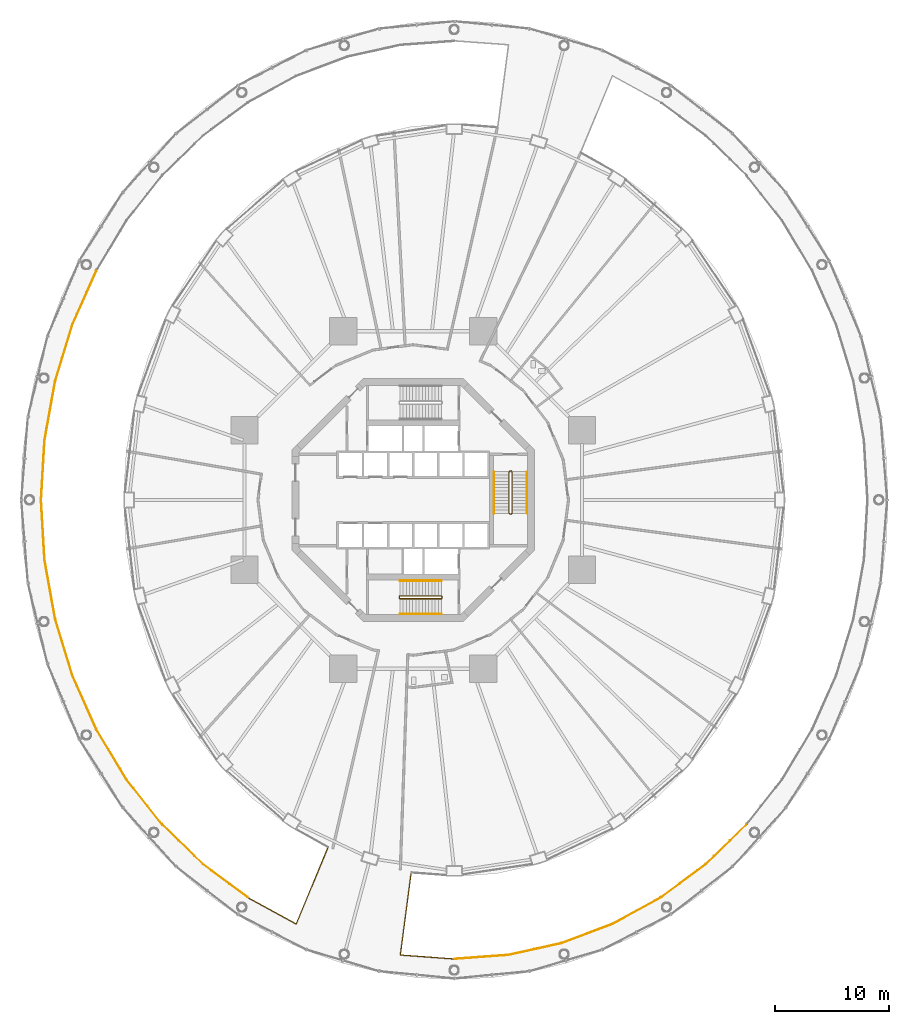
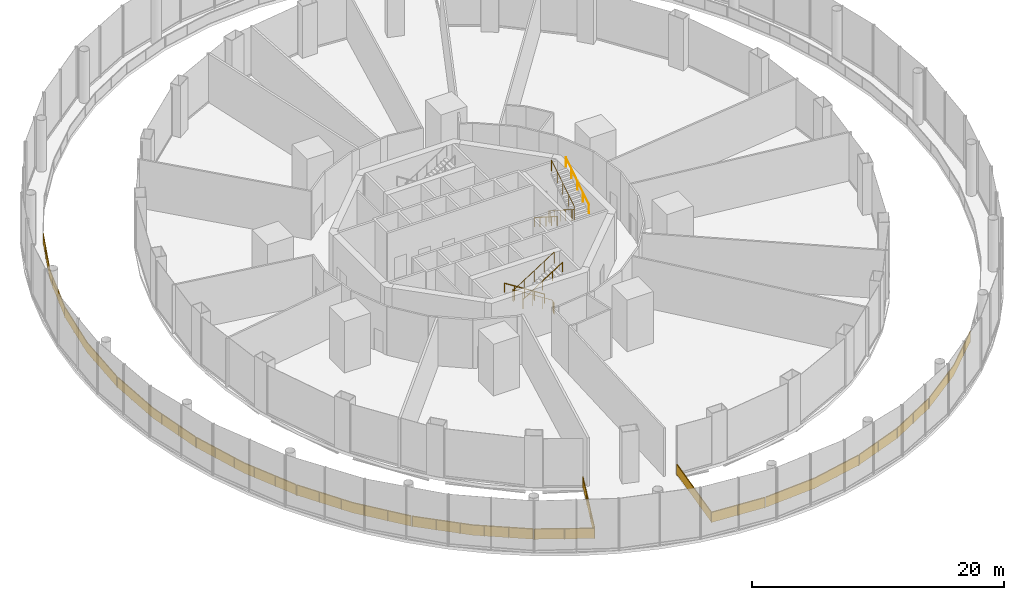
# One storey, part 45 of 47: 17 railings.
"""IFC4 building model written with IfcOpenShell, lengths in metres."""

from ifc_helpers import new_model, si_unit, direction, frame, origin, origin_2d, place, context, subcontext, project, spatial, polyline, rectangle, circle, outline, extrude, material, type_object, element, save


model = new_model("IFC4")

# Units and contexts
model_context = context("Model", 3, precision=1e-05, world=origin(), true_north=direction((0.0, 1.0)))
body_context = subcontext(model_context, "Body", "Model", "MODEL_VIEW")
ifc_project = project(units=[si_unit("LENGTHUNIT", "METRE"), si_unit("AREAUNIT", "SQUARE_METRE"), si_unit("VOLUMEUNIT", "CUBIC_METRE"), si_unit("PLANEANGLEUNIT", "RADIAN"), si_unit("MASSUNIT", "GRAM", prefix="KILO")], contexts=[model_context])

# Site, building, storey
site_placement = place(None, origin())
site = spatial("IfcSite", under=ifc_project, at=site_placement, CompositionType="ELEMENT")
building_placement = place(site_placement, origin())
building = spatial("IfcBuilding", under=site, at=building_placement, Name="Nagisa Residences", CompositionType="ELEMENT")
storey_placement = place(building_placement, frame((0.0, 0.0, 17.0)))
storey = spatial("IfcBuildingStorey", under=building, at=storey_placement, Name="L03", CompositionType="ELEMENT", Elevation=17.0)

# Railings
ifc_material_1 = material(Name="Stainless steel 316", Category="steel")
railing_type_1 = type_object("IfcRailingType", Name="ROOF GUARD 1100", PredefinedType="GUARDRAIL", material=ifc_material_1)
railing_1_placement = place(storey_placement, frame((-27.766357421875, 20.0634765625, 0.0)))
element("IfcRailing", 1, at=railing_1_placement, inside=storey, type_object=railing_type_1, Name="guard:L03:gal0-05", PredefinedType="GUARDRAIL", context=body_context, shape_type="SweptSolid", body=[
    extrude(outline(polyline([(-2.0546875, -4.6884765625), (0.02294921875, -0.01025390625), (-0.02294921875, 0.01025390625), (-2.1015625, -4.6708984375), (-3.6123046875, -9.61328125), (-3.564453125, -9.6279296875), (-2.0546875, -4.6884765625)])), frame((0.0, 0.0, 1.050048828125)), (0.0, 0.0, 1.0), 0.050048828125),
    extrude(outline(polyline([(-2.071533203125, -4.68212890625), (0.00634765625, -0.0029296875), (-0.00634765625, 0.0029296875), (-2.084716796875, -4.67724609375), (-3.594970703125, -9.61865234375), (-3.581787109375, -9.62255859375), (-2.071533203125, -4.68212890625)])), frame((0.0, 0.0, 0.06005859375)), (0.0, 0.0, 1.0), 0.989990234375),
    extrude(rectangle(XDim=0.0400390625, YDim=0.0400390625, at=origin_2d()), origin(), (0.0, 0.0, 1.0), 1.050048828125),
    extrude(rectangle(XDim=0.0400390625, YDim=0.0400390625, at=origin_2d()), frame((-0.8349609375, -1.88037109375, 0.0)), (0.0, 0.0, 1.0), 1.050048828125),
    extrude(rectangle(XDim=0.0400390625, YDim=0.0400390625, at=origin_2d()), frame((-1.669921875, -3.7607421875, 0.0)), (0.0, 0.0, 1.0), 1.050048828125),
    extrude(rectangle(XDim=0.0400390625, YDim=0.0400390625, at=origin_2d()), frame((-2.385498046875, -5.685546875, 0.0)), (0.0, 0.0, 1.0), 1.050048828125),
    extrude(rectangle(XDim=0.0400390625, YDim=0.0400390625, at=origin_2d()), frame((-2.987060546875, -7.653076171875, 0.0)), (0.0, 0.0, 1.0), 1.050048828125),
    extrude(rectangle(XDim=0.0400390625, YDim=0.0400390625, at=origin_2d()), frame((-3.58837890625, -9.62060546875, 0.0)), (0.0, 0.0, 1.0), 1.050048828125),
])
railing_2_placement = place(storey_placement, frame((-31.37353515625, 10.365234375, 0.0)))
element("IfcRailing", 2, at=railing_2_placement, inside=storey, type_object=railing_type_1, Name="guard:L03:gal0-06", PredefinedType="GUARDRAIL", context=body_context, shape_type="SweptSolid", body=[
    extrude(outline(polyline([(-0.891845703125, -5.12109375), (0.024658203125, -0.00439453125), (-0.024658203125, 0.00439453125), (-0.941650390625, -5.115234375), (-1.2490234375, -10.32373046875), (-1.19921875, -10.32666015625), (-0.891845703125, -5.12109375)])), frame((0.0, 0.0, 1.050048828125)), (0.0, 0.0, 1.0), 0.050048828125),
    extrude(outline(polyline([(-0.90966796875, -5.118896484375), (0.0068359375, -0.001220703125), (-0.0068359375, 0.001220703125), (-0.923828125, -5.117431640625), (-1.231201171875, -10.32470703125), (-1.217041015625, -10.32568359375), (-0.90966796875, -5.118896484375)])), frame((0.0, 0.0, 0.06005859375)), (0.0, 0.0, 1.0), 0.989990234375),
    extrude(rectangle(XDim=0.0400390625, YDim=0.0400390625, at=origin_2d()), origin(), (0.0, 0.0, 1.0), 1.050048828125),
    extrude(rectangle(XDim=0.0400390625, YDim=0.0400390625, at=origin_2d()), frame((-0.3671875, -2.050537109375, 0.0)), (0.0, 0.0, 1.0), 1.050048828125),
    extrude(rectangle(XDim=0.0400390625, YDim=0.0400390625, at=origin_2d()), frame((-0.734619140625, -4.10107421875, 0.0)), (0.0, 0.0, 1.0), 1.050048828125),
    extrude(rectangle(XDim=0.0400390625, YDim=0.0400390625, at=origin_2d()), frame((-0.978515625, -6.166259765625, 0.0)), (0.0, 0.0, 1.0), 1.050048828125),
    extrude(rectangle(XDim=0.0400390625, YDim=0.0400390625, at=origin_2d()), frame((-1.101318359375, -8.24560546875, 0.0)), (0.0, 0.0, 1.0), 1.050048828125),
    extrude(rectangle(XDim=0.0400390625, YDim=0.0400390625, at=origin_2d()), frame((-1.22412109375, -10.3251953125, 0.0)), (0.0, 0.0, 1.0), 1.050048828125),
])
railing_3_placement = place(storey_placement, frame((-32.59765625, -0.0400390625, 0.0)))
element("IfcRailing", 3, at=railing_3_placement, inside=storey, type_object=railing_type_1, Name="guard:L03:gal0-07", PredefinedType="GUARDRAIL", context=body_context, shape_type="SweptSolid", body=[
    extrude(outline(polyline([(0.332275390625, -5.2041015625), (0.02490234375, 0.00146484375), (-0.02490234375, -0.00146484375), (0.282470703125, -5.2099609375), (1.199462890625, -10.32958984375), (1.248779296875, -10.32080078125), (0.332275390625, -5.2041015625)])), frame((0.0, 0.0, 1.050048828125)), (0.0, 0.0, 1.0), 0.050048828125),
    extrude(outline(polyline([(0.314453125, -5.206298828125), (0.007080078125, 0.00048828125), (-0.007080078125, -0.00048828125), (0.30029296875, -5.207763671875), (1.21728515625, -10.326416015625), (1.23095703125, -10.323974609375), (0.314453125, -5.206298828125)])), frame((0.0, 0.0, 0.06005859375)), (0.0, 0.0, 1.0), 0.989990234375),
    extrude(rectangle(XDim=0.0400390625, YDim=0.0400390625, at=origin_2d()), origin(), (0.0, 0.0, 1.0), 1.050048828125),
    extrude(rectangle(XDim=0.0400390625, YDim=0.0400390625, at=origin_2d()), frame((0.122802734375, -2.07958984375, 0.0)), (0.0, 0.0, 1.0), 1.050048828125),
    extrude(rectangle(XDim=0.0400390625, YDim=0.0400390625, at=origin_2d()), frame((0.24560546875, -4.158935546875, 0.0)), (0.0, 0.0, 1.0), 1.050048828125),
    extrude(rectangle(XDim=0.0400390625, YDim=0.0400390625, at=origin_2d()), frame((0.489501953125, -6.22412109375, 0.0)), (0.0, 0.0, 1.0), 1.050048828125),
    extrude(rectangle(XDim=0.0400390625, YDim=0.0400390625, at=origin_2d()), frame((0.85693359375, -8.274658203125, 0.0)), (0.0, 0.0, 1.0), 1.050048828125),
    extrude(rectangle(XDim=0.0400390625, YDim=0.0400390625, at=origin_2d()), frame((1.22412109375, -10.3251953125, 0.0)), (0.0, 0.0, 1.0), 1.050048828125),
])
railing_4_placement = place(storey_placement, frame((-31.354736328125, -10.44287109375, 0.0)))
element("IfcRailing", 4, at=railing_4_placement, inside=storey, type_object=railing_type_1, Name="guard:L03:gal0-08", PredefinedType="GUARDRAIL", context=body_context, shape_type="SweptSolid", body=[
    extrude(outline(polyline([(1.53369140625, -4.93212890625), (0.02392578125, 0.00732421875), (-0.02392578125, -0.00732421875), (1.48681640625, -4.94970703125), (3.5654296875, -9.630859375), (3.611328125, -9.6103515625), (1.53369140625, -4.93212890625)])), frame((0.0, 0.0, 1.050048828125)), (0.0, 0.0, 1.0), 0.050048828125),
    extrude(outline(polyline([(1.516845703125, -4.9384765625), (0.006591796875, 0.001953125), (-0.006591796875, -0.001953125), (1.503662109375, -4.943359375), (3.58203125, -9.62353515625), (3.5947265625, -9.61767578125), (1.516845703125, -4.9384765625)])), frame((0.0, 0.0, 0.06005859375)), (0.0, 0.0, 1.0), 0.989990234375),
    extrude(rectangle(XDim=0.0400390625, YDim=0.0400390625, at=origin_2d()), origin(), (0.0, 0.0, 1.0), 1.050048828125),
    extrude(rectangle(XDim=0.0400390625, YDim=0.0400390625, at=origin_2d()), frame((0.601318359375, -1.967529296875, 0.0)), (0.0, 0.0, 1.0), 1.050048828125),
    extrude(rectangle(XDim=0.0400390625, YDim=0.0400390625, at=origin_2d()), frame((1.202880859375, -3.93505859375, 0.0)), (0.0, 0.0, 1.0), 1.050048828125),
    extrude(rectangle(XDim=0.0400390625, YDim=0.0400390625, at=origin_2d()), frame((1.91845703125, -5.85986328125, 0.0)), (0.0, 0.0, 1.0), 1.050048828125),
    extrude(rectangle(XDim=0.0400390625, YDim=0.0400390625, at=origin_2d()), frame((2.75341796875, -7.740234375, 0.0)), (0.0, 0.0, 1.0), 1.050048828125),
    extrude(rectangle(XDim=0.0400390625, YDim=0.0400390625, at=origin_2d()), frame((3.58837890625, -9.62060546875, 0.0)), (0.0, 0.0, 1.0), 1.050048828125),
])
railing_5_placement = place(storey_placement, frame((-27.7294921875, -20.13427734375, 0.0)))
element("IfcRailing", 5, at=railing_5_placement, inside=storey, type_object=railing_type_1, Name="guard:L03:gal0-09", PredefinedType="GUARDRAIL", context=body_context, shape_type="SweptSolid", body=[
    extrude(outline(polyline([(2.630615234375, -4.32373046875), (0.021484375, 0.012939453125), (-0.021484375, -0.012939453125), (2.589599609375, -4.35205078125), (5.68798828125, -8.275634765625), (5.72705078125, -8.244384765625), (2.630615234375, -4.32373046875)])), frame((0.0, 0.0, 1.050048828125)), (0.0, 0.0, 1.0), 0.050048828125),
    extrude(outline(polyline([(2.615966796875, -4.333984375), (0.006103515625, 0.003662109375), (-0.006103515625, -0.003662109375), (2.604248046875, -4.341796875), (5.701904296875, -8.264404296875), (5.713134765625, -8.255615234375), (2.615966796875, -4.333984375)])), frame((0.0, 0.0, 0.06005859375)), (0.0, 0.0, 1.0), 0.989990234375),
    extrude(rectangle(XDim=0.0400390625, YDim=0.0400390625, at=origin_2d()), origin(), (0.0, 0.0, 1.0), 1.050048828125),
    extrude(rectangle(XDim=0.0400390625, YDim=0.0400390625, at=origin_2d()), frame((1.037353515625, -1.72412109375, 0.0)), (0.0, 0.0, 1.0), 1.050048828125),
    extrude(rectangle(XDim=0.0400390625, YDim=0.0400390625, at=origin_2d()), frame((2.07470703125, -3.447998046875, 0.0)), (0.0, 0.0, 1.0), 1.050048828125),
    extrude(rectangle(XDim=0.0400390625, YDim=0.0400390625, at=origin_2d()), frame((3.21337890625, -5.10205078125, 0.0)), (0.0, 0.0, 1.0), 1.050048828125),
    extrude(rectangle(XDim=0.0400390625, YDim=0.0400390625, at=origin_2d()), frame((4.46044921875, -6.680908203125, 0.0)), (0.0, 0.0, 1.0), 1.050048828125),
    extrude(rectangle(XDim=0.0400390625, YDim=0.0400390625, at=origin_2d()), frame((5.70751953125, -8.260009765625, 0.0)), (0.0, 0.0, 1.0), 1.050048828125),
])
railing_6_placement = place(storey_placement, frame((-21.968505859375, -28.45361328125, 0.0)))
element("IfcRailing", 6, at=railing_6_placement, inside=storey, type_object=railing_type_1, Name="guard:L03:gal0-10", PredefinedType="GUARDRAIL", context=body_context, shape_type="SweptSolid", body=[
    extrude(outline(polyline([(3.547607421875, -3.420166015625), (0.017578125, 0.017822265625), (-0.017578125, -0.017822265625), (3.514892578125, -3.458251953125), (7.42138671875, -6.356689453125), (7.451171875, -6.316650390625), (3.547607421875, -3.420166015625)])), frame((0.0, 0.0, 1.050048828125)), (0.0, 0.0, 1.0), 0.050048828125),
    extrude(outline(polyline([(3.535888671875, -3.433837890625), (0.0048828125, 0.005126953125), (-0.0048828125, -0.005126953125), (3.526611328125, -3.444580078125), (7.43212890625, -6.34228515625), (7.4404296875, -6.3310546875), (3.535888671875, -3.433837890625)])), frame((0.0, 0.0, 0.06005859375)), (0.0, 0.0, 1.0), 0.989990234375),
    extrude(rectangle(XDim=0.0400390625, YDim=0.0400390625, at=origin_2d()), origin(), (0.0, 0.0, 1.0), 1.050048828125),
    extrude(rectangle(XDim=0.0400390625, YDim=0.0400390625, at=origin_2d()), frame((1.40283203125, -1.366455078125, 0.0)), (0.0, 0.0, 1.0), 1.050048828125),
    extrude(rectangle(XDim=0.0400390625, YDim=0.0400390625, at=origin_2d()), frame((2.805908203125, -2.732666015625, 0.0)), (0.0, 0.0, 1.0), 1.050048828125),
    extrude(rectangle(XDim=0.0400390625, YDim=0.0400390625, at=origin_2d()), frame((4.290771484375, -4.002685546875, 0.0)), (0.0, 0.0, 1.0), 1.050048828125),
    extrude(rectangle(XDim=0.0400390625, YDim=0.0400390625, at=origin_2d()), frame((5.863525390625, -5.169677734375, 0.0)), (0.0, 0.0, 1.0), 1.050048828125),
    extrude(rectangle(XDim=0.0400390625, YDim=0.0400390625, at=origin_2d()), frame((7.436279296875, -6.336669921875, 0.0)), (0.0, 0.0, 1.0), 1.050048828125),
])
railing_7_placement = place(storey_placement, frame((-14.46484375, -34.83349609375, 0.0)))
element("IfcRailing", 7, at=railing_7_placement, inside=storey, type_object=railing_type_1, Name="guard:L03:gal0-11", PredefinedType="GUARDRAIL", context=body_context, shape_type="SweptSolid", body=[
    extrude(outline(polyline([(4.19921875, -2.27099609375), (0.011962890625, 0.02197265625), (-0.011962890625, -0.02197265625), (4.22412109375, -2.341796875), (6.974853515625, 4.299072265625), (6.928466796875, 4.318115234375), (4.19921875, -2.27099609375)])), frame((0.0, 0.0, 1.050048828125)), (0.0, 0.0, 1.0), 0.050048828125),
    extrude(outline(polyline([(4.208251953125, -2.296630859375), (0.00341796875, 0.006103515625), (-0.00341796875, -0.006103515625), (4.215087890625, -2.316162109375), (6.9580078125, 4.305908203125), (6.9453125, 4.311279296875), (4.208251953125, -2.296630859375)])), frame((0.0, 0.0, 0.06005859375)), (0.0, 0.0, 1.0), 0.989990234375),
    extrude(rectangle(XDim=0.0400390625, YDim=0.0400390625, at=origin_2d()), origin(), (0.0, 0.0, 1.0), 1.050048828125),
    extrude(rectangle(XDim=0.0400390625, YDim=0.0400390625, at=origin_2d()), frame((2.098388671875, -1.149169921875, 0.0)), (0.0, 0.0, 1.0), 1.050048828125),
    extrude(rectangle(XDim=0.0400390625, YDim=0.0400390625, at=origin_2d()), frame((4.19677734375, -2.298095703125, 0.0)), (0.0, 0.0, 1.0), 1.050048828125),
    extrude(rectangle(XDim=0.0400390625, YDim=0.0400390625, at=origin_2d()), frame((5.12060546875, -0.11181640625, 0.0)), (0.0, 0.0, 1.0), 1.050048828125),
    extrude(rectangle(XDim=0.0400390625, YDim=0.0400390625, at=origin_2d()), frame((6.0361328125, 2.098388671875, 0.0)), (0.0, 0.0, 1.0), 1.050048828125),
    extrude(rectangle(XDim=0.0400390625, YDim=0.0400390625, at=origin_2d()), frame((6.95166015625, 4.30859375, 0.0)), (0.0, 0.0, 1.0), 1.050048828125),
])
railing_8_placement = place(storey_placement, frame((-0.1904296875, -32.75732421875, 0.0)))
element("IfcRailing", 8, at=railing_8_placement, inside=storey, type_object=railing_type_1, Name="guard:L03:gal1-00", PredefinedType="GUARDRAIL", context=body_context, shape_type="SweptSolid", body=[
    extrude(outline(polyline([(-0.90625, -7.075927734375), (0.02490234375, -0.003173828125), (-0.02490234375, 0.003173828125), (-0.962890625, -7.121826171875), (3.748779296875, -7.464599609375), (3.752197265625, -7.414794921875), (-0.90625, -7.075927734375)])), frame((0.0, 0.0, 1.050048828125)), (0.0, 0.0, 1.0), 0.050048828125),
    extrude(outline(polyline([(-0.9267578125, -7.092529296875), (0.0068359375, -0.0009765625), (-0.0068359375, 0.0009765625), (-0.9423828125, -7.105224609375), (3.75, -7.44677734375), (3.7509765625, -7.4326171875), (-0.9267578125, -7.092529296875)])), frame((0.0, 0.0, 0.06005859375)), (0.0, 0.0, 1.0), 0.989990234375),
    extrude(rectangle(XDim=0.0400390625, YDim=0.0400390625, at=origin_2d()), origin(), (0.0, 0.0, 1.0), 1.050048828125),
    extrude(rectangle(XDim=0.0400390625, YDim=0.0400390625, at=origin_2d()), frame((-0.3095703125, -2.351318359375, 0.0)), (0.0, 0.0, 1.0), 1.050048828125),
    extrude(rectangle(XDim=0.0400390625, YDim=0.0400390625, at=origin_2d()), frame((-0.619140625, -4.702392578125, 0.0)), (0.0, 0.0, 1.0), 1.050048828125),
    extrude(rectangle(XDim=0.0400390625, YDim=0.0400390625, at=origin_2d()), frame((-0.9287109375, -7.0537109375, 0.0)), (0.0, 0.0, 1.0), 1.050048828125),
    extrude(rectangle(XDim=0.0400390625, YDim=0.0400390625, at=origin_2d()), frame((1.38525390625, -7.267578125, 0.0)), (0.0, 0.0, 1.0), 1.050048828125),
    extrude(rectangle(XDim=0.0400390625, YDim=0.0400390625, at=origin_2d()), frame((3.75048828125, -7.439697265625, 0.0)), (0.0, 0.0, 1.0), 1.050048828125),
])
railing_9_placement = place(storey_placement, frame((3.639892578125, -40.197021484375, 0.0)))
element("IfcRailing", 9, at=railing_9_placement, inside=storey, type_object=railing_type_1, Name="guard:L03:gal1-01", PredefinedType="GUARDRAIL", context=body_context, shape_type="SweptSolid", body=[
    extrude(outline(polyline([(4.681396484375, 0.36572265625), (-0.001708984375, 0.02490234375), (0.001708984375, -0.02490234375), (4.688720703125, 0.31591796875), (9.295654296875, 1.333740234375), (9.284912109375, 1.382568359375), (4.681396484375, 0.36572265625)])), frame((0.0, 0.0, 1.050048828125)), (0.0, 0.0, 1.0), 0.050048828125),
    extrude(outline(polyline([(4.68408203125, 0.34765625), (-0.00048828125, 0.007080078125), (0.00048828125, -0.007080078125), (4.68603515625, 0.333984375), (9.291748046875, 1.351318359375), (9.288818359375, 1.364990234375), (4.68408203125, 0.34765625)])), frame((0.0, 0.0, 0.06005859375)), (0.0, 0.0, 1.0), 0.989990234375),
    extrude(rectangle(XDim=0.0400390625, YDim=0.0400390625, at=origin_2d()), origin(), (0.0, 0.0, 1.0), 1.050048828125),
    extrude(rectangle(XDim=0.0400390625, YDim=0.0400390625, at=origin_2d()), frame((2.34716796875, 0.170654296875, 0.0)), (0.0, 0.0, 1.0), 1.050048828125),
    extrude(rectangle(XDim=0.0400390625, YDim=0.0400390625, at=origin_2d()), frame((4.6943359375, 0.3427734375, 0.0)), (0.0, 0.0, 1.0), 1.050048828125),
    extrude(rectangle(XDim=0.0400390625, YDim=0.0400390625, at=origin_2d()), frame((6.9921875, 0.8505859375, 0.0)), (0.0, 0.0, 1.0), 1.050048828125),
    extrude(rectangle(XDim=0.0400390625, YDim=0.0400390625, at=origin_2d()), frame((9.290283203125, 1.358154296875, 0.0)), (0.0, 0.0, 1.0), 1.050048828125),
])
railing_10_placement = place(storey_placement, frame((13.006591796875, -38.816162109375, 0.0)))
element("IfcRailing", 10, at=railing_10_placement, inside=storey, type_object=railing_type_1, Name="guard:L03:gal1-02", PredefinedType="GUARDRAIL", context=body_context, shape_type="SweptSolid", body=[
    extrude(outline(polyline([(4.43603515625, 1.698974609375), (-0.0087890625, 0.0234375), (0.0087890625, -0.0234375), (4.45703125, 1.653564453125), (8.670166015625, 3.960693359375), (8.646240234375, 4.004638671875), (4.43603515625, 1.698974609375)])), frame((0.0, 0.0, 1.050048828125)), (0.0, 0.0, 1.0), 0.050048828125),
    extrude(outline(polyline([(4.443603515625, 1.6826171875), (-0.00244140625, 0.006591796875), (0.00244140625, -0.006591796875), (4.449462890625, 1.669921875), (8.66162109375, 3.9765625), (8.65478515625, 3.98876953125), (4.443603515625, 1.6826171875)])), frame((0.0, 0.0, 0.06005859375)), (0.0, 0.0, 1.0), 0.989990234375),
    extrude(rectangle(XDim=0.0400390625, YDim=0.0400390625, at=origin_2d()), origin(), (0.0, 0.0, 1.0), 1.050048828125),
    extrude(rectangle(XDim=0.0400390625, YDim=0.0400390625, at=origin_2d()), frame((2.23486328125, 0.842529296875, 0.0)), (0.0, 0.0, 1.0), 1.050048828125),
    extrude(rectangle(XDim=0.0400390625, YDim=0.0400390625, at=origin_2d()), frame((4.468505859375, 1.688232421875, 0.0)), (0.0, 0.0, 1.0), 1.050048828125),
    extrude(rectangle(XDim=0.0400390625, YDim=0.0400390625, at=origin_2d()), frame((6.563232421875, 2.83544921875, 0.0)), (0.0, 0.0, 1.0), 1.050048828125),
    extrude(rectangle(XDim=0.0400390625, YDim=0.0400390625, at=origin_2d()), frame((8.658203125, 3.982666015625, 0.0)), (0.0, 0.0, 1.0), 1.050048828125),
])
railing_11_placement = place(storey_placement, frame((21.732177734375, -34.790283203125, 0.0)))
element("IfcRailing", 11, at=railing_11_placement, inside=storey, type_object=railing_type_1, Name="guard:L03:gal1-03", PredefinedType="GUARDRAIL", context=body_context, shape_type="SweptSolid", body=[
    extrude(outline(polyline([(3.888671875, 2.91650390625), (-0.014892578125, 0.02001953125), (0.014892578125, -0.02001953125), (3.92138671875, 2.87841796875), (7.4541015625, 6.31884765625), (7.4189453125, 6.3544921875), (3.888671875, 2.91650390625)])), frame((0.0, 0.0, 1.050048828125)), (0.0, 0.0, 1.0), 0.050048828125),
    extrude(outline(polyline([(3.900390625, 2.90283203125), (-0.004150390625, 0.005615234375), (0.004150390625, -0.005615234375), (3.90966796875, 2.89208984375), (7.44140625, 6.33154296875), (7.431640625, 6.341796875), (3.900390625, 2.90283203125)])), frame((0.0, 0.0, 0.06005859375)), (0.0, 0.0, 1.0), 0.989990234375),
    extrude(rectangle(XDim=0.0400390625, YDim=0.0400390625, at=origin_2d()), origin(), (0.0, 0.0, 1.0), 1.050048828125),
    extrude(rectangle(XDim=0.0400390625, YDim=0.0400390625, at=origin_2d()), frame((1.57275390625, 1.1669921875, 0.0)), (0.0, 0.0, 1.0), 1.050048828125),
    extrude(rectangle(XDim=0.0400390625, YDim=0.0400390625, at=origin_2d()), frame((3.1455078125, 2.333984375, 0.0)), (0.0, 0.0, 1.0), 1.050048828125),
    extrude(rectangle(XDim=0.0400390625, YDim=0.0400390625, at=origin_2d()), frame((4.630615234375, 3.60400390625, 0.0)), (0.0, 0.0, 1.0), 1.050048828125),
    extrude(rectangle(XDim=0.0400390625, YDim=0.0400390625, at=origin_2d()), frame((6.033447265625, 4.97021484375, 0.0)), (0.0, 0.0, 1.0), 1.050048828125),
    extrude(rectangle(XDim=0.0400390625, YDim=0.0400390625, at=origin_2d()), frame((7.4365234375, 6.336669921875, 0.0)), (0.0, 0.0, 1.0), 1.050048828125),
])
ifc_material_2 = material(Name="Stainless steel", Category="steel")
railing_type_2 = type_object("IfcRailingType", Name="Stair guard 1100", PredefinedType="GUARDRAIL", material=ifc_material_2)
railing_12_placement = place(storey_placement, frame((8.599609375, 2.52490234375, 0.0)))
element("IfcRailing", 12, at=railing_12_placement, inside=storey, type_object=railing_type_2, Name="L03 ST-E stair guard 1", PredefinedType="GUARDRAIL", context=body_context, shape_type="SweptSolid", body=[
    extrude(circle(Radius=0.02392578125, at=origin_2d()), frame((0.0, 0.0, 1.076171875), z_axis=(-1.0, 0.0, 0.0), x_axis=(0.0, -1.0, 0.0)), (0.0, 0.0, 1.0), 0.14990234375),
    extrude(circle(Radius=0.02392578125, at=origin_2d()), frame((-0.14990234375, 0.0, 1.076171875), z_axis=(-0.26077077684, -0.25949872427, 0.929870428634), x_axis=(0.705375805398, -0.708833529934, 0.0)), (0.0, 0.0, 1.0), 0.19189453125),
    extrude(circle(Radius=0.02392578125, at=origin_2d()), frame((-0.199951171875, -0.0498046875, 1.25439453125), z_axis=(0.0, -0.843127859045, 0.537713132908), x_axis=(1.0, 0.0, 0.0)), (0.0, 0.0, 1.0), 4.3173828125),
    extrude(circle(Radius=0.02392578125, at=origin_2d()), frame((-0.199951171875, -3.68994140625, 3.576171875), z_axis=(0.707106781187, -0.707106781187, 0.0), x_axis=(0.707106781187, 0.707106781187, 0.0)), (0.0, 0.0, 1.0), 0.07080078125),
    extrude(circle(Radius=0.02392578125, at=origin_2d()), frame((-0.14990234375, -3.739990234375, 3.576171875), z_axis=(1.0, 0.0, 0.0), x_axis=(0.0, 1.0, 0.0)), (0.0, 0.0, 1.0), 0.14990234375),
    extrude(circle(Radius=0.02392578125, at=origin_2d()), frame((0.0, -3.739990234375, 3.576171875), z_axis=(0.260684529273, 0.260684529273, 0.929562882432), x_axis=(-0.707106781187, 0.707106781187, 0.0)), (0.0, 0.0, 1.0), 0.19189453125),
    extrude(circle(Radius=0.02392578125, at=origin_2d()), frame((0.050048828125, -3.68994140625, 3.75439453125), z_axis=(0.0, 0.843127859045, 0.537713132908), x_axis=(-1.0, 0.0, 0.0)), (0.0, 0.0, 1.0), 4.3173828125),
    extrude(circle(Radius=0.02099609375, at=origin_2d()), origin(), (0.0, 0.0, 1.0), 1.052001953125),
    extrude(circle(Radius=0.02099609375, at=origin_2d()), frame((-0.14990234375, 0.0, 0.0)), (0.0, 0.0, 1.0), 1.052001953125),
    extrude(circle(Radius=0.02099609375, at=origin_2d()), frame((-0.199951171875, -0.0498046875, 0.178466796875)), (0.0, 0.0, 1.0), 1.052001953125),
    extrude(circle(Radius=0.02099609375, at=origin_2d()), frame((-0.199951171875, -0.9599609375, 0.7587890625)), (0.0, 0.0, 1.0), 1.052001953125),
    extrude(circle(Radius=0.02099609375, at=origin_2d()), frame((-0.199951171875, -1.869873046875, 1.33935546875)), (0.0, 0.0, 1.0), 1.052001953125),
    extrude(circle(Radius=0.02099609375, at=origin_2d()), frame((-0.199951171875, -2.77978515625, 1.919677734375)), (0.0, 0.0, 1.0), 1.052001953125),
    extrude(circle(Radius=0.02099609375, at=origin_2d()), frame((-0.199951171875, -3.68994140625, 2.5)), (0.0, 0.0, 1.0), 1.052001953125),
    extrude(circle(Radius=0.02099609375, at=origin_2d()), frame((-0.14990234375, -3.739990234375, 2.5)), (0.0, 0.0, 1.0), 1.052001953125),
    extrude(circle(Radius=0.02099609375, at=origin_2d()), frame((0.0, -3.739990234375, 2.5)), (0.0, 0.0, 1.0), 1.052001953125),
    extrude(circle(Radius=0.02099609375, at=origin_2d()), frame((0.050048828125, -3.68994140625, 2.678466796875)), (0.0, 0.0, 1.0), 1.052001953125),
    extrude(circle(Radius=0.02099609375, at=origin_2d()), frame((0.050048828125, -2.77978515625, 3.2587890625)), (0.0, 0.0, 1.0), 1.052001953125),
    extrude(circle(Radius=0.02099609375, at=origin_2d()), frame((0.050048828125, -1.869873046875, 3.83935546875)), (0.0, 0.0, 1.0), 1.052001953125),
    extrude(circle(Radius=0.02099609375, at=origin_2d()), frame((0.050048828125, -0.9599609375, 4.419677734375)), (0.0, 0.0, 1.0), 1.052001953125),
    extrude(circle(Radius=0.02099609375, at=origin_2d()), frame((0.050048828125, -0.0498046875, 5.0)), (0.0, 0.0, 1.0), 1.052001953125),
])
railing_13_placement = place(storey_placement, frame((2.52490234375, -8.599609375, 0.0)))
element("IfcRailing", 13, at=railing_13_placement, inside=storey, type_object=railing_type_2, Name="L03 ST-S stair guard 1", PredefinedType="GUARDRAIL", context=body_context, shape_type="SweptSolid", body=[
    extrude(circle(Radius=0.02392578125, at=origin_2d()), frame((0.0, 0.0, 1.076171875), z_axis=(0.0, 1.0, 0.0), x_axis=(-1.0, 0.0, 0.0)), (0.0, 0.0, 1.0), 0.14990234375),
    extrude(circle(Radius=0.02392578125, at=origin_2d()), frame((0.0, 0.14990234375, 1.076171875), z_axis=(-0.25949872427, 0.26077077684, 0.929870428634), x_axis=(-0.708833529934, -0.705375805398, 0.0)), (0.0, 0.0, 1.0), 0.19189453125),
    extrude(circle(Radius=0.02392578125, at=origin_2d()), frame((-0.0498046875, 0.199951171875, 1.25439453125), z_axis=(-0.843127859045, 0.0, 0.537713132908), x_axis=(0.0, -1.0, 0.0)), (0.0, 0.0, 1.0), 4.3173828125),
    extrude(circle(Radius=0.02392578125, at=origin_2d()), frame((-3.68994140625, 0.199951171875, 3.576171875), z_axis=(-0.707106781187, -0.707106781187, 0.0), x_axis=(0.707106781187, -0.707106781187, 0.0)), (0.0, 0.0, 1.0), 0.07080078125),
    extrude(circle(Radius=0.02392578125, at=origin_2d()), frame((-3.739990234375, 0.14990234375, 3.576171875), z_axis=(0.0, -1.0, 0.0), x_axis=(1.0, 0.0, 0.0)), (0.0, 0.0, 1.0), 0.14990234375),
    extrude(circle(Radius=0.02392578125, at=origin_2d()), frame((-3.739990234375, 0.0, 3.576171875), z_axis=(0.260684529273, -0.260684529273, 0.929562882432), x_axis=(0.707106781187, 0.707106781187, 0.0)), (0.0, 0.0, 1.0), 0.19189453125),
    extrude(circle(Radius=0.02392578125, at=origin_2d()), frame((-3.68994140625, -0.050048828125, 3.75439453125), z_axis=(0.843127859045, 0.0, 0.537713132908), x_axis=(0.0, 1.0, 0.0)), (0.0, 0.0, 1.0), 4.3173828125),
    extrude(circle(Radius=0.02099609375, at=origin_2d()), origin(), (0.0, 0.0, 1.0), 1.052001953125),
    extrude(circle(Radius=0.02099609375, at=origin_2d()), frame((0.0, 0.14990234375, 0.0)), (0.0, 0.0, 1.0), 1.052001953125),
    extrude(circle(Radius=0.02099609375, at=origin_2d()), frame((-0.0498046875, 0.199951171875, 0.178466796875)), (0.0, 0.0, 1.0), 1.052001953125),
    extrude(circle(Radius=0.02099609375, at=origin_2d()), frame((-0.9599609375, 0.199951171875, 0.7587890625)), (0.0, 0.0, 1.0), 1.052001953125),
    extrude(circle(Radius=0.02099609375, at=origin_2d()), frame((-1.869873046875, 0.199951171875, 1.33935546875)), (0.0, 0.0, 1.0), 1.052001953125),
    extrude(circle(Radius=0.02099609375, at=origin_2d()), frame((-2.77978515625, 0.199951171875, 1.919677734375)), (0.0, 0.0, 1.0), 1.052001953125),
    extrude(circle(Radius=0.02099609375, at=origin_2d()), frame((-3.68994140625, 0.199951171875, 2.5)), (0.0, 0.0, 1.0), 1.052001953125),
    extrude(circle(Radius=0.02099609375, at=origin_2d()), frame((-3.739990234375, 0.14990234375, 2.5)), (0.0, 0.0, 1.0), 1.052001953125),
    extrude(circle(Radius=0.02099609375, at=origin_2d()), frame((-3.739990234375, 0.0, 2.5)), (0.0, 0.0, 1.0), 1.052001953125),
    extrude(circle(Radius=0.02099609375, at=origin_2d()), frame((-3.68994140625, -0.050048828125, 2.678466796875)), (0.0, 0.0, 1.0), 1.052001953125),
    extrude(circle(Radius=0.02099609375, at=origin_2d()), frame((-2.77978515625, -0.050048828125, 3.2587890625)), (0.0, 0.0, 1.0), 1.052001953125),
    extrude(circle(Radius=0.02099609375, at=origin_2d()), frame((-1.869873046875, -0.050048828125, 3.83935546875)), (0.0, 0.0, 1.0), 1.052001953125),
    extrude(circle(Radius=0.02099609375, at=origin_2d()), frame((-0.9599609375, -0.050048828125, 4.419677734375)), (0.0, 0.0, 1.0), 1.052001953125),
    extrude(circle(Radius=0.02099609375, at=origin_2d()), frame((-0.0498046875, -0.050048828125, 5.0)), (0.0, 0.0, 1.0), 1.052001953125),
])
ifc_material_3 = material(Name="Stainless steel", Category="steel")
railing_type_3 = type_object("IfcRailingType", Name="Stair handrail 900", PredefinedType="HANDRAIL", material=ifc_material_3)
railing_14_placement = place(storey_placement, frame((7.07470703125, 2.47509765625, 0.178466796875)))
element("IfcRailing", 14, at=railing_14_placement, inside=storey, type_object=railing_type_3, Name="L03 ST-E stair handrail 1", PredefinedType="HANDRAIL", context=body_context, shape_type="SweptSolid", body=[
    extrude(circle(Radius=0.02392578125, at=origin_2d()), frame((0.0, 0.0, 0.8759765625), z_axis=(0.0, -0.843127859045, 0.537713132908), x_axis=(1.0, 0.0, 0.0)), (0.0, 0.0, 1.0), 4.3173828125),
    extrude(circle(Radius=0.02099609375, at=origin_2d()), origin(), (0.0, 0.0, 1.0), 0.851806640625),
    extrude(circle(Radius=0.02099609375, at=origin_2d()), frame((0.0, -0.91015625, 0.580322265625)), (0.0, 0.0, 1.0), 0.851806640625),
    extrude(circle(Radius=0.02099609375, at=origin_2d()), frame((0.0, -1.820068359375, 1.16064453125)), (0.0, 0.0, 1.0), 0.851806640625),
    extrude(circle(Radius=0.02099609375, at=origin_2d()), frame((0.0, -2.72998046875, 1.7412109375)), (0.0, 0.0, 1.0), 0.851806640625),
    extrude(circle(Radius=0.02099609375, at=origin_2d()), frame((0.0, -3.64013671875, 2.321533203125)), (0.0, 0.0, 1.0), 0.851806640625),
])
railing_15_placement = place(storey_placement, frame((9.974609375, -1.1650390625, 2.678466796875)))
element("IfcRailing", 15, at=railing_15_placement, inside=storey, type_object=railing_type_3, Name="L03 ST-E stair handrail 2", PredefinedType="HANDRAIL", context=body_context, shape_type="SweptSolid", body=[
    extrude(circle(Radius=0.02392578125, at=origin_2d()), frame((0.0, 0.0, 0.8759765625), z_axis=(0.0, 0.843127859045, 0.537713132908), x_axis=(-1.0, 0.0, 0.0)), (0.0, 0.0, 1.0), 4.3173828125),
    extrude(circle(Radius=0.02099609375, at=origin_2d()), origin(), (0.0, 0.0, 1.0), 0.851806640625),
    extrude(circle(Radius=0.02099609375, at=origin_2d()), frame((0.0, 0.91015625, 0.580322265625)), (0.0, 0.0, 1.0), 0.851806640625),
    extrude(circle(Radius=0.02099609375, at=origin_2d()), frame((0.0, 1.820068359375, 1.16064453125)), (0.0, 0.0, 1.0), 0.851806640625),
    extrude(circle(Radius=0.02099609375, at=origin_2d()), frame((0.0, 2.72998046875, 1.7412109375)), (0.0, 0.0, 1.0), 0.851806640625),
    extrude(circle(Radius=0.02099609375, at=origin_2d()), frame((0.0, 3.64013671875, 2.321533203125)), (0.0, 0.0, 1.0), 0.851806640625),
])
railing_16_placement = place(storey_placement, frame((2.47509765625, -7.07470703125, 0.178466796875)))
element("IfcRailing", 16, at=railing_16_placement, inside=storey, type_object=railing_type_3, Name="L03 ST-S stair handrail 1", PredefinedType="HANDRAIL", context=body_context, shape_type="SweptSolid", body=[
    extrude(circle(Radius=0.02392578125, at=origin_2d()), frame((0.0, 0.0, 0.8759765625), z_axis=(-0.843127859045, 0.0, 0.537713132908), x_axis=(0.0, -1.0, 0.0)), (0.0, 0.0, 1.0), 4.3173828125),
    extrude(circle(Radius=0.02099609375, at=origin_2d()), origin(), (0.0, 0.0, 1.0), 0.851806640625),
    extrude(circle(Radius=0.02099609375, at=origin_2d()), frame((-0.91015625, 0.0, 0.580322265625)), (0.0, 0.0, 1.0), 0.851806640625),
    extrude(circle(Radius=0.02099609375, at=origin_2d()), frame((-1.820068359375, 0.0, 1.16064453125)), (0.0, 0.0, 1.0), 0.851806640625),
    extrude(circle(Radius=0.02099609375, at=origin_2d()), frame((-2.72998046875, 0.0, 1.7412109375)), (0.0, 0.0, 1.0), 0.851806640625),
    extrude(circle(Radius=0.02099609375, at=origin_2d()), frame((-3.64013671875, 0.0, 2.321533203125)), (0.0, 0.0, 1.0), 0.851806640625),
])
railing_17_placement = place(storey_placement, frame((-1.1650390625, -9.974609375, 2.678466796875)))
element("IfcRailing", 17, at=railing_17_placement, inside=storey, type_object=railing_type_3, Name="L03 ST-S stair handrail 2", PredefinedType="HANDRAIL", context=body_context, shape_type="SweptSolid", body=[
    extrude(circle(Radius=0.02392578125, at=origin_2d()), frame((0.0, 0.0, 0.8759765625), z_axis=(0.843127859045, 0.0, 0.537713132908), x_axis=(0.0, 1.0, 0.0)), (0.0, 0.0, 1.0), 4.3173828125),
    extrude(circle(Radius=0.02099609375, at=origin_2d()), origin(), (0.0, 0.0, 1.0), 0.851806640625),
    extrude(circle(Radius=0.02099609375, at=origin_2d()), frame((0.91015625, 0.0, 0.580322265625)), (0.0, 0.0, 1.0), 0.851806640625),
    extrude(circle(Radius=0.02099609375, at=origin_2d()), frame((1.820068359375, 0.0, 1.16064453125)), (0.0, 0.0, 1.0), 0.851806640625),
    extrude(circle(Radius=0.02099609375, at=origin_2d()), frame((2.72998046875, 0.0, 1.7412109375)), (0.0, 0.0, 1.0), 0.851806640625),
    extrude(circle(Radius=0.02099609375, at=origin_2d()), frame((3.64013671875, 0.0, 2.321533203125)), (0.0, 0.0, 1.0), 0.851806640625),
])

save(model, "model.ifc")
